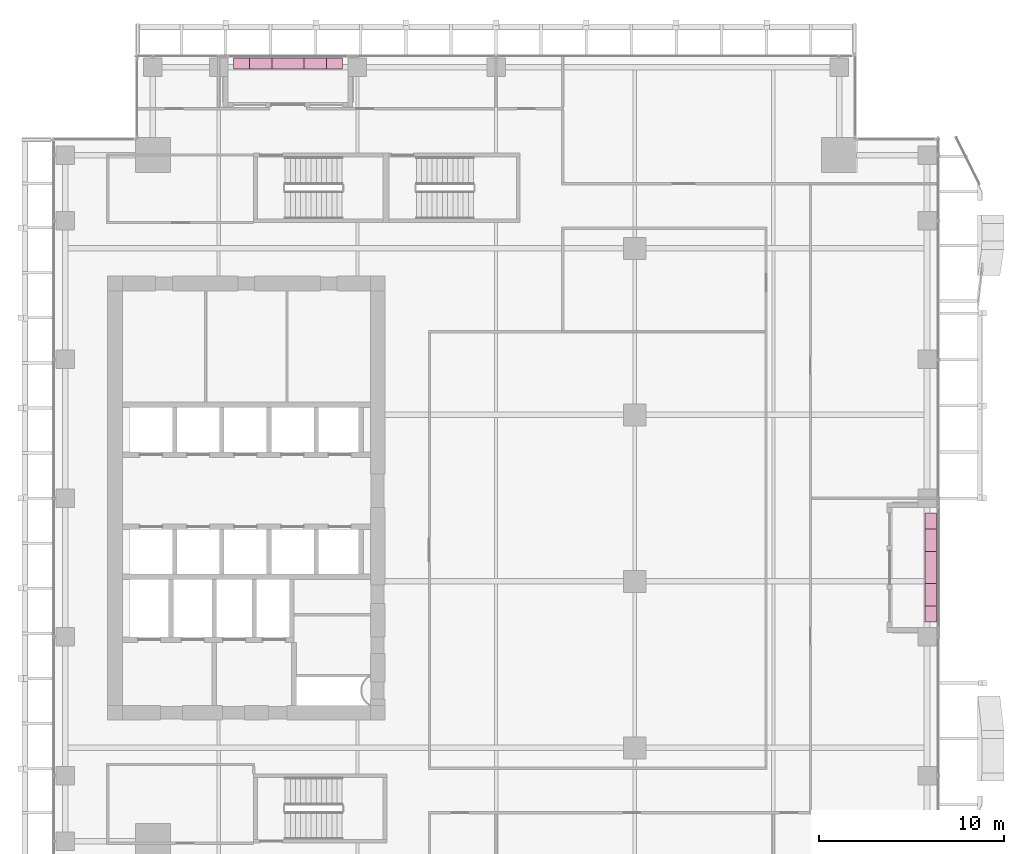
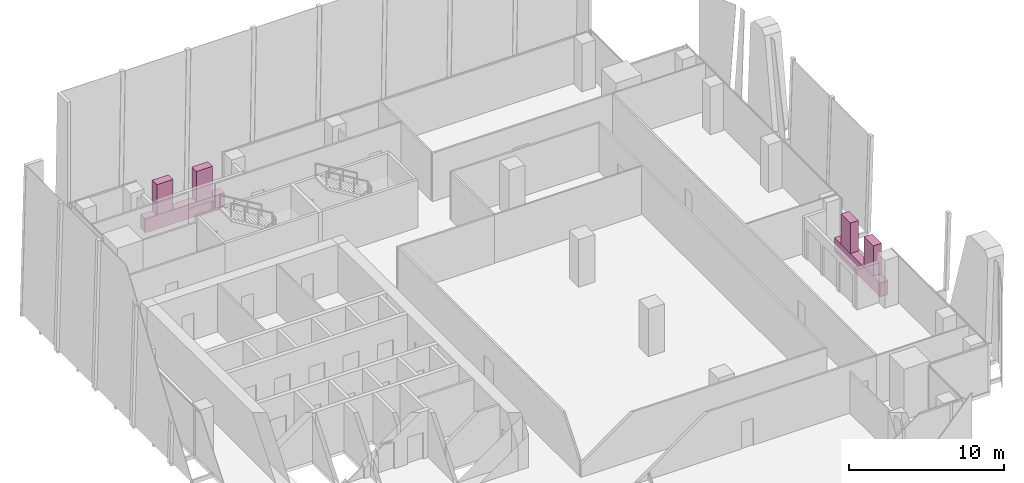
# One storey, part 35 of 35: 6 furnishings.
"""IFC4 building model written with IfcOpenShell, lengths in metres."""

from ifc_helpers import new_model, si_unit, direction, frame, origin, origin_2d, place, context, subcontext, project, spatial, rectangle, extrude, source, transform, mapped, material, type_object, element, save


model = new_model("IFC4")

# Units and contexts
model_context = context("Model", 3, precision=1e-05, world=origin(), true_north=direction((0.0, 1.0)))
body_context = subcontext(model_context, "Body", "Model", "MODEL_VIEW")
ifc_project = project(units=[si_unit("LENGTHUNIT", "METRE"), si_unit("AREAUNIT", "SQUARE_METRE"), si_unit("VOLUMEUNIT", "CUBIC_METRE"), si_unit("PLANEANGLEUNIT", "RADIAN"), si_unit("MASSUNIT", "GRAM", prefix="KILO")], contexts=[model_context])

# Site, building, storey
site_placement = place(None, origin())
site = spatial("IfcSite", under=ifc_project, at=site_placement, CompositionType="ELEMENT")
building_placement = place(site_placement, origin())
building = spatial("IfcBuilding", under=site, at=building_placement, Name="Khomas Fold Tower", CompositionType="ELEMENT")
storey_placement = place(building_placement, frame((0.0, 0.0, 200.699951171875)))
storey = spatial("IfcBuildingStorey", under=building, at=storey_placement, Name="L44", CompositionType="ELEMENT", Elevation=200.699951171875)

# Furnishings
ifc_material_1 = material(Name="Precast concrete C40/50", Category="concrete")
furnishing_element_type_1 = type_object("IfcFurnishingElementType", Name="BL-Structural planter box", material=ifc_material_1)
shared_shape_1 = source(origin(), body_context, "Body", "SweptSolid", [
    extrude(rectangle(XDim=5.89990234375, YDim=0.60009765625, at=origin_2d()), origin(), (0.0, 0.0, 1.0), 1.10009765625),
])
for number, where, z_axis, x_axis, name in (
    (1, (50.5, 23.25, -0.044921875), (0.0, 0.0, 1.0), (0.0, 1.0, 0.0), "PLANTER BAL-L44-E2"),
    (2, (15.75, 50.5, -0.044921875), (0.0, 0.0, 1.0), (1.0, 0.0, 0.0), "PLANTER BAL-L44-N1"),
):
    element("IfcFurnishingElement", number, at=place(storey_placement, frame(where, z_axis=z_axis, x_axis=x_axis)), inside=storey, type_object=furnishing_element_type_1, Name=name, context=body_context, shape_type="MappedRepresentation", body=[
        mapped(shared_shape_1, transform((0.0, 0.0, 0.0))),
    ])
ifc_material_2 = material(Name="Planting")
furnishing_element_type_2 = type_object("IfcFurnishingElementType", Name="BL-Tree Karee", material=ifc_material_2)
shared_shape_2 = source(origin(), body_context, "Body", "SweptSolid", [
    extrude(rectangle(XDim=1.199951171875, YDim=0.60009765625, at=origin_2d()), origin(), (0.0, 0.0, 1.0), 2.39501953125),
])
furnishing_1_placement = place(storey_placement, frame((50.5, 21.77490234375, 1.054931640625), z_axis=(0.0, 0.0, 1.0), x_axis=(0.0, 1.0, 0.0)))
element("IfcFurnishingElement", 3, at=furnishing_1_placement, inside=storey, type_object=furnishing_element_type_2, Name="PLANTER (TREE) Karee BAL-L44-E2-1", context=body_context, shape_type="MappedRepresentation", body=[
    mapped(shared_shape_2, transform((0.0, 0.0, 0.0))),
])
ifc_material_3 = material(Name="Planting")
furnishing_element_type_3 = type_object("IfcFurnishingElementType", Name="BL-Tree Wild olive", material=ifc_material_3)
for number, where, z_axis, x_axis, name in (
    (4, (50.5, 24.72509765625, 1.054931640625), (0.0, 0.0, 1.0), (0.0, 1.0, 0.0), "PLANTER (TREE) Wild olive BAL-L44-E2-2"),
    (5, (14.27490234375, 50.5, 1.054931640625), (0.0, 0.0, 1.0), (1.0, 0.0, 0.0), "PLANTER (TREE) Wild olive BAL-L44-N1-1"),
):
    element("IfcFurnishingElement", number, at=place(storey_placement, frame(where, z_axis=z_axis, x_axis=x_axis)), inside=storey, type_object=furnishing_element_type_3, Name=name, context=body_context, shape_type="MappedRepresentation", body=[
        mapped(shared_shape_2, transform((0.0, 0.0, 0.0))),
    ])
ifc_material_4 = material(Name="Planting")
furnishing_element_type_4 = type_object("IfcFurnishingElementType", Name="BL-Tree Shepherd's tree", material=ifc_material_4)
furnishing_2_placement = place(storey_placement, frame((17.22509765625, 50.5, 1.054931640625), z_axis=(0.0, 0.0, 1.0), x_axis=(1.0, 0.0, 0.0)))
element("IfcFurnishingElement", 6, at=furnishing_2_placement, inside=storey, type_object=furnishing_element_type_4, Name="PLANTER (TREE) Shepherd's tree BAL-L44-N1-2", context=body_context, shape_type="MappedRepresentation", body=[
    mapped(shared_shape_2, transform((0.0, 0.0, 0.0))),
])

save(model, "model.ifc")
